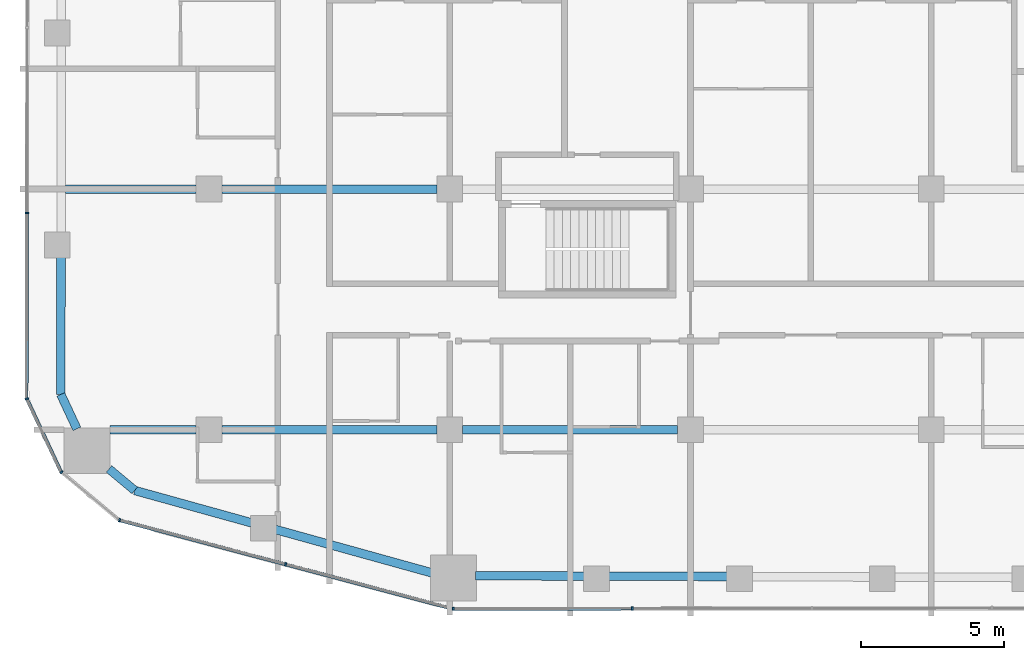
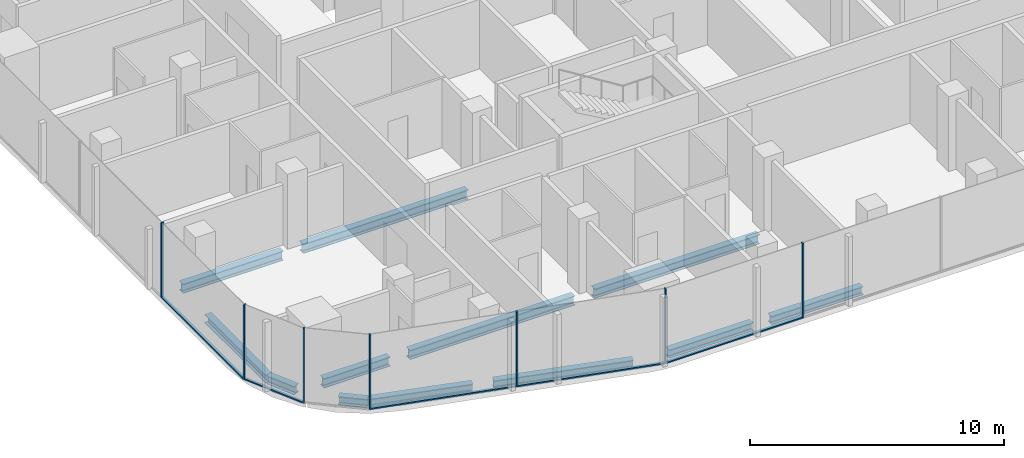
# One storey, part 2 of 23: 12 beams, 12 members, 5 elements without a shape of their own.
"""IFC4 building model written with IfcOpenShell, lengths in metres."""

import ifcopenshell
import ifcopenshell.guid

model = None  # the IFC model being written
_history = None  # IfcOwnerHistory: only IFC2X3 demands one
_inside = {}  # id of a spatial element -> (the spatial element, [elements in it])
_under = {}  # id of a project, library or spatial element -> (it, [spatial elements below it])
_declared = {}  # id of a project -> (the project, [libraries it declares])
_typed = {}  # id of a type object -> (the type object, [elements of that type])
_made_of = {}  # id of a material, layer set ... -> (it, [elements and type objects made of it])


def new_model(schema):
    """Start an empty IFC model of exactly this schema.

    Asked for "IFC4X3", IfcOpenShell would pick the latest addendum, in which some entities
    have other attributes; the version numbers below select the first issue.
    IFC2X3 requires an IfcOwnerHistory on every rooted entity: one is made here for all.
    """
    global model, _history
    if schema == "IFC4X3":
        model = ifcopenshell.file(schema_version=(4, 3, 0, 0))
    else:
        model = ifcopenshell.file(schema=schema)
    _inside.clear()
    _under.clear()
    _declared.clear()
    _typed.clear()
    _made_of.clear()
    _history = None
    if model.schema == "IFC2X3":
        org = make("IfcOrganization", Name="unknown")
        user = make(
            "IfcPersonAndOrganization",
            ThePerson=make("IfcPerson", FamilyName="unknown"),
            TheOrganization=org,
        )
        app = make(
            "IfcApplication",
            ApplicationDeveloper=org,
            Version="unknown",
            ApplicationFullName="unknown",
            ApplicationIdentifier="unknown",
        )
        _history = make(
            "IfcOwnerHistory",
            OwningUser=user,
            OwningApplication=app,
            ChangeAction="ADDED",
            CreationDate=0,
        )
    return model


def make(cls, **values):
    """One entity of the class cls with the attributes given. An attribute that is None is left unset."""
    return model.create_entity(
        cls, **{name: value for name, value in values.items() if value is not None}
    )


def rooted(cls, **values):
    """An entity with a GlobalId (a new one), such as an element, a storey or a relation."""
    return make(cls, GlobalId=ifcopenshell.guid.new(), OwnerHistory=_history, **values)


def si_unit(unit_type, name, prefix=None):
    """IfcSIUnit, for example si_unit("LENGTHUNIT", "METRE", prefix="MILLI")."""
    return make("IfcSIUnit", UnitType=unit_type, Prefix=prefix, Name=name)


def assignment(units):
    """IfcUnitAssignment: the units of a project."""
    return None if units is None else make("IfcUnitAssignment", Units=units)


def point(xyz):
    """IfcCartesianPoint."""
    return None if xyz is None else make("IfcCartesianPoint", Coordinates=xyz)


def direction(xyz):
    """IfcDirection."""
    return None if xyz is None else make("IfcDirection", DirectionRatios=xyz)


def frame(location, z_axis=None, x_axis=None):
    """IfcAxis2Placement3D, a coordinate frame: its origin and axes. An axis left out is left unset."""
    return make(
        "IfcAxis2Placement3D",
        Location=point(location),
        Axis=direction(z_axis),
        RefDirection=direction(x_axis),
    )


def frame_2d(location, x_axis=None):
    """IfcAxis2Placement2D, a coordinate frame in the plane: its origin and x axis."""
    return make(
        "IfcAxis2Placement2D", Location=point(location), RefDirection=direction(x_axis)
    )


def origin():
    """The frame at (0, 0, 0) with its axes left unset."""
    return frame((0.0, 0.0, 0.0))


def origin_2d():
    """The frame at (0, 0) in the plane with its x axis left unset."""
    return frame_2d((0.0, 0.0))


def place(relative_to, where):
    """IfcLocalPlacement: puts the frame where relative to a parent placement (None: the world)."""
    return make(
        "IfcLocalPlacement", PlacementRelTo=relative_to, RelativePlacement=where
    )


def context(
    kind, dimensions, precision=None, world=None, true_north=None, identifier=None
):
    """IfcGeometricRepresentationContext, for example the 3D "Model" context."""
    return make(
        "IfcGeometricRepresentationContext",
        ContextIdentifier=identifier,
        ContextType=kind,
        CoordinateSpaceDimension=dimensions,
        Precision=precision,
        WorldCoordinateSystem=world,
        TrueNorth=true_north,
    )


def subcontext(parent, identifier, kind, view, scale=None):
    """IfcGeometricRepresentationSubContext, for example "Body" below "Model"."""
    return make(
        "IfcGeometricRepresentationSubContext",
        ContextIdentifier=identifier,
        ContextType=kind,
        ParentContext=parent,
        TargetScale=scale,
        TargetView=view,
    )


def project(units=None, contexts=None):
    """IfcProject with its units and contexts."""
    return rooted(
        "IfcProject",
        Name="project",
        RepresentationContexts=contexts,
        UnitsInContext=assignment(units),
    )


def spatial(cls, under=None, at=None, **own):
    """A site, building, storey or space (cls), placed at a placement, below another one or the project."""
    s = rooted(cls, ObjectPlacement=at, **own)
    if under is not None:
        _under.setdefault(under.id(), (under, []))[1].append(s)
    return s


def profile(cls, at=None, kind="AREA", **sizes):
    """A parametric profile (cls). Its sizes go by their IFC names, for example OverallWidth=200.0."""
    return make(cls, ProfileType=kind, Position=at, **sizes)


def rectangle(**sizes):
    """IfcRectangleProfileDef."""
    return profile("IfcRectangleProfileDef", **sizes)


def i_section(**sizes):
    """IfcIShapeProfileDef."""
    return profile("IfcIShapeProfileDef", **sizes)


def extrude(swept, where, along, depth):
    """IfcExtrudedAreaSolid: the profile swept, set in the frame where, extruded along a direction by depth."""
    return make(
        "IfcExtrudedAreaSolid",
        SweptArea=swept,
        Position=where,
        ExtrudedDirection=direction(along),
        Depth=depth,
    )


def shape(context_of_items, identifier, shape_type, items):
    """IfcShapeRepresentation: the items that make up one representation, for example the "Body"."""
    return make(
        "IfcShapeRepresentation",
        ContextOfItems=context_of_items,
        RepresentationIdentifier=identifier,
        RepresentationType=shape_type,
        Items=items,
    )


def material(Name=None, Category=None):
    """IfcMaterial."""
    return make("IfcMaterial", Name=Name, Category=Category)


def layer(
    of_material, thickness, ventilated=None, Name=None, Category=None, Priority=None
):
    """IfcMaterialLayer: one layer of a wall or slab, of a material (None: an air gap)."""
    return make(
        "IfcMaterialLayer",
        Material=of_material,
        LayerThickness=thickness,
        IsVentilated=ventilated,
        Name=Name,
        Category=Category,
        Priority=Priority,
    )


def layer_set(layers, Name=None):
    """IfcMaterialLayerSet."""
    return make("IfcMaterialLayerSet", MaterialLayers=layers, LayerSetName=Name)


def material_profile(
    of_material, cross_section, Name=None, Category=None, Priority=None
):
    """IfcMaterialProfile: a cross section and its material."""
    return make(
        "IfcMaterialProfile",
        Name=Name,
        Material=of_material,
        Profile=cross_section,
        Priority=Priority,
        Category=Category,
    )


def profile_set(profiles, Name=None, composite=None):
    """IfcMaterialProfileSet."""
    return make(
        "IfcMaterialProfileSet",
        Name=Name,
        MaterialProfiles=profiles,
        CompositeProfile=composite,
    )


def made_of(thing, what):
    """Note that an element or type object is made of a material, layer set ...; save() writes the relation."""
    if what is not None:
        _made_of.setdefault(what.id(), (what, []))[1].append(thing)
    return thing


def type_object(cls, material=None, **own):
    """A type object (cls), such as IfcWallType, which elements share."""
    return made_of(rooted(cls, **own), material)


def element(
    cls,
    number,
    at=None,
    inside=None,
    cuts=None,
    type_object=None,
    material=None,
    context=None,
    identifier="Body",
    shape_type=None,
    held_by="IfcProductDefinitionShape",
    body=None,
    shapes=None,
    **own,
):
    """One element of the class cls, such as IfcWall. Its Tag is "e" and its number.

    at: its placement. inside: the storey or other place that contains it. cuts: it is an
    opening in that element (IfcRelVoidsElement). A single representation is given by context,
    identifier, shape_type and body (its items); several are given by shapes. held_by: the class
    of the entity that holds the representations. save() writes the other relations.
    """
    e = rooted(cls, Tag="e%d" % number, ObjectPlacement=at, **own)
    if body is not None:
        shapes = [shape(context, identifier, shape_type, body)]
    if shapes is not None:
        e.Representation = make(held_by, Representations=shapes)
    if inside is not None:
        _inside.setdefault(inside.id(), (inside, []))[1].append(e)
    if cuts is not None:
        rooted(
            "IfcRelVoidsElement", RelatingBuildingElement=cuts, RelatedOpeningElement=e
        )
    if type_object is not None:
        _typed.setdefault(type_object.id(), (type_object, []))[1].append(e)
    return made_of(e, material)


def aggregate(whole, parts):
    """IfcRelAggregates: a whole, such as a stair, and the parts it consists of."""
    return rooted("IfcRelAggregates", RelatingObject=whole, RelatedObjects=parts)


def save(model, path):
    """Write the relations noted so far, then the file.

    IfcRelAggregates (storeys below a building ...), IfcRelContainedInSpatialStructure (elements
    in a storey), IfcRelDefinesByType, IfcRelAssociatesMaterial and IfcRelDeclares: one each for
    every whole, place, type object, material and project.
    """
    for whole, parts in _under.values():
        aggregate(whole, parts)
    for where, things in _inside.values():
        rooted(
            "IfcRelContainedInSpatialStructure",
            RelatedElements=things,
            RelatingStructure=where,
        )
    for kind, things in _typed.values():
        rooted("IfcRelDefinesByType", RelatedObjects=things, RelatingType=kind)
    for what, things in _made_of.values():
        rooted("IfcRelAssociatesMaterial", RelatedObjects=things, RelatingMaterial=what)
    for by, libraries in _declared.values():
        rooted("IfcRelDeclares", RelatingContext=by, RelatedDefinitions=libraries)
    model.write(path)


model = new_model("IFC4")

# Units and contexts
model_context = context("Model", 3, precision=1e-05, world=origin(), true_north=direction((0.0, 1.0)))
body_context = subcontext(model_context, "Body", "Model", "MODEL_VIEW")
ifc_project = project(units=[si_unit("LENGTHUNIT", "METRE"), si_unit("AREAUNIT", "SQUARE_METRE"), si_unit("VOLUMEUNIT", "CUBIC_METRE"), si_unit("PLANEANGLEUNIT", "RADIAN"), si_unit("MASSUNIT", "GRAM", prefix="KILO")], contexts=[model_context])

# Site, building, storey
site_placement = place(None, origin())
site = spatial("IfcSite", under=ifc_project, at=site_placement, CompositionType="ELEMENT")
building_placement = place(site_placement, origin())
building = spatial("IfcBuilding", under=site, at=building_placement, Name="Marenta Gate Hotel Tower", CompositionType="ELEMENT")
storey_placement = place(building_placement, frame((0.0, 0.0, 119.300048828125)))
storey = spatial("IfcBuildingStorey", under=building, at=storey_placement, Name="L26", CompositionType="ELEMENT", Elevation=119.300048828125)

# Beams
ifc_material_1 = material(Name="Steel S355", Category="steel")
ifc_material_profile_1 = material_profile(ifc_material_1, i_section(OverallWidth=0.300048828125, OverallDepth=0.39990234375, WebThickness=0.013427734375, FlangeThickness=0.02392578125, FilletRadius=0.027099609375, at=origin_2d()), Name="HEB 400")
ifc_profile_set_1 = profile_set([ifc_material_profile_1], Name="Steel S355")
beam_type_1 = type_object("IfcBeamType", Name="Edge beam HEB 400", PredefinedType="SPANDREL", material=ifc_profile_set_1)
beam_1_placement = place(storey_placement, frame((-13.227783203125, -21.794677734375, -0.4599609375), z_axis=(-0.963615860477, 0.267290990189, 0.0), x_axis=(-0.267290990189, -0.963615860477, 0.0)))
element("IfcBeam", 1, at=beam_1_placement, inside=storey, type_object=beam_type_1, Name="L26-EB-1", PredefinedType="SPANDREL", context=body_context, shape_type="SweptSolid", body=[
    extrude(i_section(OverallWidth=0.300048828125, OverallDepth=0.39990234375, WebThickness=0.013427734375, FlangeThickness=0.02392578125, FilletRadius=0.027099609375, at=origin_2d()), origin(), (0.0, 0.0, 1.0), 5.674072265625),
])
beam_2_placement = place(storey_placement, frame((-19.518310546875, -20.0498046875, -0.4599609375), z_axis=(-0.963630213062, 0.267239242016, 0.0), x_axis=(-0.267239242016, -0.963630213062, 0.0)))
element("IfcBeam", 2, at=beam_2_placement, inside=storey, type_object=beam_type_1, Name="L26-EB-2", PredefinedType="SPANDREL", context=body_context, shape_type="SweptSolid", body=[
    extrude(i_section(OverallWidth=0.300048828125, OverallDepth=0.39990234375, WebThickness=0.013427734375, FlangeThickness=0.02392578125, FilletRadius=0.027099609375, at=origin_2d()), origin(), (0.0, 0.0, 1.0), 4.232666015625),
])
beam_3_placement = place(storey_placement, frame((-23.596923828125, -18.918701171875, -0.4599609375), z_axis=(-0.767073132856, 0.641559668972, 0.0), x_axis=(-0.641559668972, -0.767073132856, 0.0)))
element("IfcBeam", 3, at=beam_3_placement, inside=storey, type_object=beam_type_1, Name="L26-EB-3", PredefinedType="SPANDREL", context=body_context, shape_type="SweptSolid", body=[
    extrude(i_section(OverallWidth=0.300048828125, OverallDepth=0.39990234375, WebThickness=0.013427734375, FlangeThickness=0.02392578125, FilletRadius=0.027099609375, at=origin_2d()), origin(), (0.0, 0.0, 1.0), 1.1689453125),
])
beam_4_placement = place(storey_placement, frame((-25.613525390625, -16.769287109375, -0.4599609375), z_axis=(-0.423207780269, 0.906032656541, 0.0), x_axis=(-0.906032656541, -0.423207780269, 0.0)))
element("IfcBeam", 4, at=beam_4_placement, inside=storey, type_object=beam_type_1, Name="L26-EB-4", PredefinedType="SPANDREL", context=body_context, shape_type="SweptSolid", body=[
    extrude(i_section(OverallWidth=0.300048828125, OverallDepth=0.39990234375, WebThickness=0.013427734375, FlangeThickness=0.02392578125, FilletRadius=0.027099609375, at=origin_2d()), origin(), (0.0, 0.0, 1.0), 1.326904296875),
])
beam_5_placement = place(storey_placement, frame((-26.175048828125, -15.567138671875, -0.4599609375), z_axis=(0.001371810517, 0.999999059068, 0.0), x_axis=(-0.999999059068, 0.001371810517, 0.0)))
element("IfcBeam", 5, at=beam_5_placement, inside=storey, type_object=beam_type_1, Name="L26-EB-5", PredefinedType="SPANDREL", context=body_context, shape_type="SweptSolid", body=[
    extrude(i_section(OverallWidth=0.300048828125, OverallDepth=0.39990234375, WebThickness=0.013427734375, FlangeThickness=0.02392578125, FilletRadius=0.027099609375, at=origin_2d()), origin(), (0.0, 0.0, 1.0), 4.80517578125),
])
beam_6_placement = place(storey_placement, frame((-2.9033203125, -21.92333984375, -0.4599609375), z_axis=(-0.999994807487, 0.003222576575, 0.0), x_axis=(-0.003222576575, -0.999994807487, 0.0)))
element("IfcBeam", 6, at=beam_6_placement, inside=storey, type_object=beam_type_1, Name="L26-EB-35", PredefinedType="SPANDREL", context=body_context, shape_type="SweptSolid", body=[
    extrude(i_section(OverallWidth=0.300048828125, OverallDepth=0.39990234375, WebThickness=0.013427734375, FlangeThickness=0.02392578125, FilletRadius=0.027099609375, at=origin_2d()), origin(), (0.0, 0.0, 1.0), 4.166748046875),
])
beam_7_placement = place(storey_placement, frame((-7.89013671875, -21.907470703125, -0.4599609375), z_axis=(-0.999994677283, 0.003262729738, 0.0), x_axis=(-0.003262729738, -0.999994677283, 0.0)))
element("IfcBeam", 7, at=beam_7_placement, inside=storey, type_object=beam_type_1, Name="L26-EB-36", PredefinedType="SPANDREL", context=body_context, shape_type="SweptSolid", body=[
    extrude(i_section(OverallWidth=0.300048828125, OverallDepth=0.39990234375, WebThickness=0.013427734375, FlangeThickness=0.02392578125, FilletRadius=0.027099609375, at=origin_2d()), origin(), (0.0, 0.0, 1.0), 3.816162109375),
])
ifc_material_2 = material(Name="Steel S355", Category="steel")
ifc_material_profile_2 = material_profile(ifc_material_2, i_section(OverallWidth=0.300048828125, OverallDepth=0.449951171875, WebThickness=0.013916015625, FlangeThickness=0.02587890625, FilletRadius=0.027099609375, at=origin_2d()), Name="HEB 450")
ifc_profile_set_2 = profile_set([ifc_material_profile_2], Name="Steel S355")
beam_type_2 = type_object("IfcBeamType", Name="Girder HEB 450", PredefinedType="BEAM", material=ifc_profile_set_2)
beam_8_placement = place(storey_placement, frame((-24.462890625, -16.800048828125, -0.485107421875), z_axis=(1.0, 0.0, 0.0), x_axis=(0.0, 1.0, 0.0)))
element("IfcBeam", 8, at=beam_8_placement, inside=storey, type_object=beam_type_2, Name="L26-GD-1", PredefinedType="BEAM", context=body_context, shape_type="SweptSolid", body=[
    extrude(i_section(OverallWidth=0.300048828125, OverallDepth=0.449951171875, WebThickness=0.013916015625, FlangeThickness=0.02587890625, FilletRadius=0.027099609375, at=origin_2d()), origin(), (0.0, 0.0, 1.0), 3.012939453125),
])
for number, where, z_axis, x_axis, name in (
    (9, (-20.550048828125, -16.800048828125, -0.485107421875), (1.0, 0.0, 0.0), (0.0, 1.0, 0.0), "L26-GD-2"),
    (10, (-12.14990234375, -16.800048828125, -0.485107421875), (1.0, 0.0, 0.0), (0.0, 1.0, 0.0), "L26-GD-3"),
):
    element("IfcBeam", number, at=place(storey_placement, frame(where, z_axis=z_axis, x_axis=x_axis)), inside=storey, type_object=beam_type_2, Name=name, PredefinedType="BEAM", context=body_context, shape_type="SweptSolid", body=[
        extrude(i_section(OverallWidth=0.300048828125, OverallDepth=0.449951171875, WebThickness=0.013916015625, FlangeThickness=0.02587890625, FilletRadius=0.027099609375, at=origin_2d()), origin(), (0.0, 0.0, 1.0), 7.5),
    ])
beam_9_placement = place(storey_placement, frame((-26.01513671875, -8.39990234375, -0.485107421875), z_axis=(1.0, 0.0, 0.0), x_axis=(0.0, 1.0, 0.0)))
element("IfcBeam", 11, at=beam_9_placement, inside=storey, type_object=beam_type_2, Name="L26-GD-8", PredefinedType="BEAM", context=body_context, shape_type="SweptSolid", body=[
    extrude(i_section(OverallWidth=0.300048828125, OverallDepth=0.449951171875, WebThickness=0.013916015625, FlangeThickness=0.02587890625, FilletRadius=0.027099609375, at=origin_2d()), origin(), (0.0, 0.0, 1.0), 4.565185546875),
])
beam_10_placement = place(storey_placement, frame((-20.550048828125, -8.39990234375, -0.485107421875), z_axis=(1.0, 0.0, 0.0), x_axis=(0.0, 1.0, 0.0)))
element("IfcBeam", 12, at=beam_10_placement, inside=storey, type_object=beam_type_2, Name="L26-GD-9", PredefinedType="BEAM", context=body_context, shape_type="SweptSolid", body=[
    extrude(i_section(OverallWidth=0.300048828125, OverallDepth=0.449951171875, WebThickness=0.013916015625, FlangeThickness=0.02587890625, FilletRadius=0.027099609375, at=origin_2d()), origin(), (0.0, 0.0, 1.0), 7.5),
])

# Curtain wall, member
ifc_material_3 = material(Name="Tinted insulated glass in bronze anodised frame", Category="glass")
ifc_layer = layer(ifc_material_3, 0.1201171875)
ifc_layer_set = layer_set([ifc_layer], Name="Tinted insulated glass in bronze anodised frame")
curtain_wall_type = type_object("IfcCurtainWallType", Name="Tower unitised curtain wall CW1", PredefinedType="NOTDEFINED", material=ifc_layer_set)
curtain_wall_1_placement = place(storey_placement, origin())
curtain_wall_1 = element("IfcCurtainWall", 13, at=curtain_wall_1_placement, inside=storey, type_object=curtain_wall_type, Name="CW1 run G03", PredefinedType="NOTDEFINED")
ifc_material_4 = material(Name="Bronze anodised aluminium", Category="aluminium")
ifc_material_profile_3 = material_profile(ifc_material_4, rectangle(XDim=0.1201171875, YDim=0.06005859375, at=origin_2d()), Name="Mullion CW1 60x120 bronze anodised aluminium")
ifc_profile_set_3 = profile_set([ifc_material_profile_3], Name="Bronze anodised aluminium")
member_type_1 = type_object("IfcMemberType", Name="Mullion CW1 60x120 bronze anodised aluminium", PredefinedType="MULLION", material=ifc_profile_set_3)
member_1_placement = place(storey_placement, frame((-27.36279296875, -9.23388671875, 0.0), z_axis=(0.0, 0.0, 1.0), x_axis=(0.99999877375, -0.001566045546, 0.0)))
member_1 = element("IfcMember", 14, at=member_1_placement, type_object=member_type_1, Name="CW1 mullion 6", PredefinedType="MULLION", context=body_context, shape_type="SweptSolid", body=[
    extrude(rectangle(XDim=0.1201171875, YDim=0.06005859375, at=origin_2d()), origin(), (0.0, 0.0, 1.0), 3.599853515625),
])

curtain_wall_2_placement = place(storey_placement, origin())
curtain_wall_2 = element("IfcCurtainWall", 15, at=curtain_wall_2_placement, inside=storey, type_object=curtain_wall_type, Name="CW1 run G04", PredefinedType="NOTDEFINED")
member_2_placement = place(storey_placement, frame((-27.3603515625, -15.720947265625, 0.0), z_axis=(0.0, 0.0, 1.0), x_axis=(0.905971778319, 0.423338088163, 0.0)))
member_2 = element("IfcMember", 16, at=member_2_placement, type_object=member_type_1, Name="CW1 mullion 1", PredefinedType="MULLION", context=body_context, shape_type="SweptSolid", body=[
    extrude(rectangle(XDim=0.1201171875, YDim=0.06005859375, at=origin_2d()), origin(), (0.0, 0.0, 1.0), 3.599853515625),
])

curtain_wall_3_placement = place(storey_placement, origin())
curtain_wall_3 = element("IfcCurtainWall", 17, at=curtain_wall_3_placement, inside=storey, type_object=curtain_wall_type, Name="CW1 run G05", PredefinedType="NOTDEFINED")
member_3_placement = place(storey_placement, frame((-26.152099609375, -18.27685546875, 0.0), z_axis=(0.0, 0.0, 1.0), x_axis=(0.641512168126, 0.767112858807, 0.0)))
member_3 = element("IfcMember", 18, at=member_3_placement, type_object=member_type_1, Name="CW1 mullion 1", PredefinedType="MULLION", context=body_context, shape_type="SweptSolid", body=[
    extrude(rectangle(XDim=0.1201171875, YDim=0.06005859375, at=origin_2d()), origin(), (0.0, 0.0, 1.0), 3.599853515625),
])
aggregate(curtain_wall_3, [member_3])

# Curtain wall, members
curtain_wall_4_placement = place(storey_placement, origin())
curtain_wall_4 = element("IfcCurtainWall", 19, at=curtain_wall_4_placement, inside=storey, type_object=curtain_wall_type, Name="CW1 run G06", PredefinedType="NOTDEFINED")
member_4_placement = place(storey_placement, frame((-24.12451171875, -19.955810546875, 0.0), z_axis=(0.0, 0.0, 1.0), x_axis=(0.257143631229, 0.966373195468, 0.0)))
member_4 = element("IfcMember", 20, at=member_4_placement, type_object=member_type_1, Name="CW1 mullion 1", PredefinedType="MULLION", context=body_context, shape_type="SweptSolid", body=[
    extrude(rectangle(XDim=0.1201171875, YDim=0.06005859375, at=origin_2d()), origin(), (0.0, 0.0, 1.0), 3.599853515625),
])
member_5_placement = place(storey_placement, frame((-18.32958984375, -21.497802734375, 0.0), z_axis=(0.0, 0.0, 1.0), x_axis=(0.257143631229, 0.966373195468, 0.0)))
member_5 = element("IfcMember", 21, at=member_5_placement, type_object=member_type_1, Name="CW1 mullion 2", PredefinedType="MULLION", context=body_context, shape_type="SweptSolid", body=[
    extrude(rectangle(XDim=0.1201171875, YDim=0.06005859375, at=origin_2d()), origin(), (0.0, 0.0, 1.0), 3.599853515625),
])

curtain_wall_5_placement = place(storey_placement, origin())
curtain_wall_5 = element("IfcCurtainWall", 22, at=curtain_wall_5_placement, inside=storey, type_object=curtain_wall_type, Name="CW1 run G07", PredefinedType="NOTDEFINED")
member_6_placement = place(storey_placement, frame((-12.475830078125, -23.04736328125, 0.0), z_axis=(0.0, 0.0, 1.0), x_axis=(-0.001362347707, 0.999999072004, 0.0)))
member_6 = element("IfcMember", 23, at=member_6_placement, type_object=member_type_1, Name="CW1 mullion 1", PredefinedType="MULLION", context=body_context, shape_type="SweptSolid", body=[
    extrude(rectangle(XDim=0.1201171875, YDim=0.06005859375, at=origin_2d()), origin(), (0.0, 0.0, 1.0), 3.599853515625),
])
member_7_placement = place(storey_placement, frame((-6.22998046875, -23.0390625, 0.0), z_axis=(0.0, 0.0, 1.0), x_axis=(-0.001362347707, 0.999999072004, 0.0)))
member_7 = element("IfcMember", 24, at=member_7_placement, type_object=member_type_1, Name="CW1 mullion 2", PredefinedType="MULLION", context=body_context, shape_type="SweptSolid", body=[
    extrude(rectangle(XDim=0.1201171875, YDim=0.06005859375, at=origin_2d()), origin(), (0.0, 0.0, 1.0), 3.599853515625),
])

# Member
ifc_material_5 = material(Name="Bronze anodised aluminium", Category="aluminium")
ifc_material_profile_4 = material_profile(ifc_material_5, rectangle(XDim=0.1201171875, YDim=0.06005859375, at=origin_2d()), Name="Transom CW1 60x120 bronze anodised aluminium")
ifc_profile_set_4 = profile_set([ifc_material_profile_4], Name="Bronze anodised aluminium")
member_type_2 = type_object("IfcMemberType", Name="Transom CW1 60x120 bronze anodised aluminium", PredefinedType="USERDEFINED", material=ifc_profile_set_4)
member_8_placement = place(storey_placement, frame((-27.363037109375, -9.263916015625, 0.030029296875), z_axis=(-0.001556743377, -0.999998788274, 0.0), x_axis=(0.999998788274, -0.001556743377, 0.0)))
member_8 = element("IfcMember", 25, at=member_8_placement, type_object=member_type_2, Name="CW1 transom 6.1", ObjectType="TRANSOM", PredefinedType="USERDEFINED", context=body_context, shape_type="SweptSolid", body=[
    extrude(rectangle(XDim=0.1201171875, YDim=0.06005859375, at=origin_2d()), origin(), (0.0, 0.0, 1.0), 6.429931640625),
])

aggregate(curtain_wall_1, [member_1, member_8])

member_9_placement = place(storey_placement, frame((-27.34765625, -15.748046875, 0.030029296875), z_axis=(0.423329323939, -0.905975873572, 0.0), x_axis=(0.905975873572, 0.423329323939, 0.0)))
member_9 = element("IfcMember", 26, at=member_9_placement, type_object=member_type_2, Name="CW1 transom 1.1", ObjectType="TRANSOM", PredefinedType="USERDEFINED", context=body_context, shape_type="SweptSolid", body=[
    extrude(rectangle(XDim=0.1201171875, YDim=0.06005859375, at=origin_2d()), origin(), (0.0, 0.0, 1.0), 2.77001953125),
])

aggregate(curtain_wall_2, [member_2, member_9])

member_10_placement = place(storey_placement, frame((-24.095458984375, -19.963623046875, 0.030029296875), z_axis=(0.966369276777, -0.257158357634, 0.0), x_axis=(0.257158357634, 0.966369276777, 0.0)))
member_10 = element("IfcMember", 27, at=member_10_placement, type_object=member_type_2, Name="CW1 transom 1.1", ObjectType="TRANSOM", PredefinedType="USERDEFINED", context=body_context, shape_type="SweptSolid", body=[
    extrude(rectangle(XDim=0.1201171875, YDim=0.06005859375, at=origin_2d()), origin(), (0.0, 0.0, 1.0), 5.9365234375),
])

member_11_placement = place(storey_placement, frame((-18.300537109375, -21.505615234375, 0.030029296875), z_axis=(0.966369960125, -0.257155789684, 0.0), x_axis=(0.257155789684, 0.966369960125, 0.0)))
member_11 = element("IfcMember", 28, at=member_11_placement, type_object=member_type_2, Name="CW1 transom 2.1", ObjectType="TRANSOM", PredefinedType="USERDEFINED", context=body_context, shape_type="SweptSolid", body=[
    extrude(rectangle(XDim=0.1201171875, YDim=0.06005859375, at=origin_2d()), origin(), (0.0, 0.0, 1.0), 5.996337890625),
])

aggregate(curtain_wall_4, [member_4, member_5, member_10, member_11])

member_12_placement = place(storey_placement, frame((-12.44580078125, -23.04736328125, 0.030029296875), z_axis=(0.999999099639, 0.001341909831, 0.0), x_axis=(-0.001341909831, 0.999999099639, 0.0)))
member_12 = element("IfcMember", 29, at=member_12_placement, type_object=member_type_2, Name="CW1 transom 1.1", ObjectType="TRANSOM", PredefinedType="USERDEFINED", context=body_context, shape_type="SweptSolid", body=[
    extrude(rectangle(XDim=0.1201171875, YDim=0.06005859375, at=origin_2d()), origin(), (0.0, 0.0, 1.0), 6.185791015625),
])

aggregate(curtain_wall_5, [member_6, member_7, member_12])

save(model, "model.ifc")
